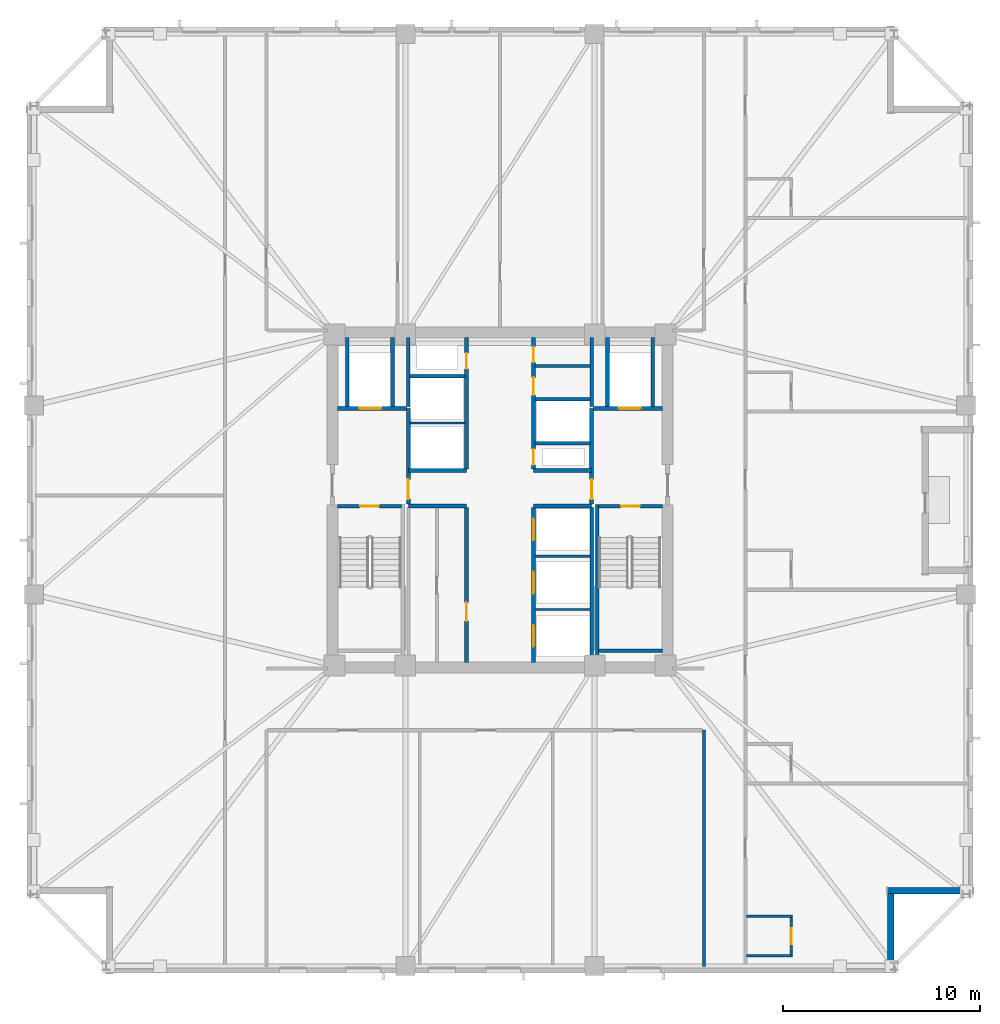
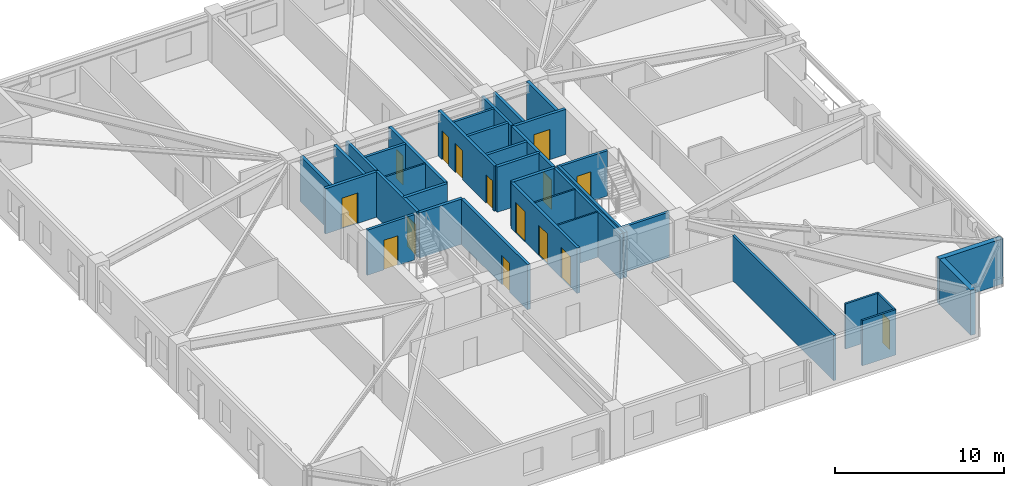
# One storey, part 3 of 10: 36 walls, 15 doors, 15 openings.
"""IFC4 building model written with IfcOpenShell, lengths in metres."""

from ifc_helpers import new_model, si_unit, direction, frame, frame_2d, origin, place, context, subcontext, project, spatial, rectangle, extrude, material, layer, layer_set, type_object, element, fill, save


model = new_model("IFC4")

# Units and contexts
model_context = context("Model", 3, precision=1e-05, world=origin(), true_north=direction((0.0, 1.0)))
body_context = subcontext(model_context, "Body", "Model", "MODEL_VIEW")
ifc_project = project(units=[si_unit("LENGTHUNIT", "METRE"), si_unit("AREAUNIT", "SQUARE_METRE"), si_unit("VOLUMEUNIT", "CUBIC_METRE"), si_unit("PLANEANGLEUNIT", "RADIAN"), si_unit("MASSUNIT", "GRAM", prefix="KILO")], contexts=[model_context])

# Site, building, storey
site_placement = place(None, origin())
site = spatial("IfcSite", under=ifc_project, at=site_placement, CompositionType="ELEMENT")
building_placement = place(site_placement, origin())
building = spatial("IfcBuilding", under=site, at=building_placement, Name="Cairnveth Concourse Tower", CompositionType="ELEMENT")
storey_placement = place(building_placement, frame((0.0, 0.0, 186.5)))
storey = spatial("IfcBuildingStorey", under=building, at=storey_placement, Name="L51", CompositionType="ELEMENT", Elevation=186.5)

# Walls
ifc_material_1 = material(Name="Gypsum Plasterboard Partition", Category="gypsum")
ifc_layer_1 = layer(ifc_material_1, 0.159912109375)
ifc_layer_set_1 = layer_set([ifc_layer_1], Name="Gypsum Plasterboard Partition")
wall_type_1 = type_object("IfcWallType", Name="ACOUSTIC PARTY WALL 180", PredefinedType="PARTITIONING", material=ifc_layer_set_1)
wall_1_placement = place(storey_placement, frame((53.784912109375, 45.800048828125, 0.0), z_axis=(0.0, 0.0, 1.0), x_axis=(1.0, 0.0, 0.0)))
element("IfcWall", 1, at=wall_1_placement, inside=storey, type_object=wall_type_1, Name="Interior Wall IW-L51-036", PredefinedType="PARTITIONING", context=body_context, shape_type="SweptSolid", body=[
    extrude(rectangle(XDim=2.7900390625, YDim=0.159912109375, at=frame_2d((1.39501953125, 0.0))), origin(), (0.0, 0.0, 1.0), 3.280029296875),
])
wall_2_placement = place(storey_placement, frame((62.35009765625, 15.324951171875, 0.0), z_axis=(0.0, 0.0, 1.0), x_axis=(0.0, 1.0, 0.0)))
element("IfcWall", 2, at=wall_2_placement, inside=storey, type_object=wall_type_1, Name="Interior Wall IW-L51-043", PredefinedType="PARTITIONING", context=body_context, shape_type="SweptSolid", body=[
    extrude(rectangle(XDim=11.9951171875, YDim=0.159912109375, at=frame_2d((5.99755859375, 0.0))), origin(), (0.0, 0.0, 1.0), 3.280029296875),
])
ifc_material_2 = material(Name="Concrete N50 (50 MPa)", Category="concrete")
ifc_layer_2 = layer(ifc_material_2, 0.179931640625)
ifc_layer_set_2 = layer_set([ifc_layer_2], Name="Concrete N50 (50 MPa)")
wall_type_2 = type_object("IfcWallType", Name="FIRE SHAFT WALL 180", PredefinedType="SOLIDWALL", material=ifc_layer_set_2)
wall_3_placement = place(storey_placement, frame((56.64990234375, 30.760009765625, 0.0), z_axis=(0.0, 0.0, 1.0), x_axis=(0.0, 1.0, 0.0)))
element("IfcWall", 3, at=wall_3_placement, inside=storey, type_object=wall_type_2, Name="Interior Wall IW-L51-027", PredefinedType="SOLIDWALL", context=body_context, shape_type="SweptSolid", body=[
    extrude(rectangle(XDim=7.85498046875, YDim=0.179931640625, at=frame_2d((3.927490234375, 0.0))), origin(), (0.0, 0.0, 1.0), 3.280029296875),
])
wall_4_placement = place(storey_placement, frame((47.35009765625, 43.735107421875, 0.0), z_axis=(0.0, 0.0, 1.0), x_axis=(0.0, 1.0, 0.0)))
element("IfcWall", 4, at=wall_4_placement, inside=storey, type_object=wall_type_2, Name="Interior Wall IW-L51-030", PredefinedType="SOLIDWALL", context=body_context, shape_type="SweptSolid", body=[
    extrude(rectangle(XDim=3.5048828125, YDim=0.179931640625, at=frame_2d((1.75244140625, 0.0))), origin(), (0.0, 0.0, 1.0), 3.280029296875),
])
wall_5_placement = place(storey_placement, frame((47.425048828125, 45.280029296875, 0.0), z_axis=(0.0, 0.0, 1.0), x_axis=(1.0, 0.0, 0.0)))
element("IfcWall", 5, at=wall_5_placement, inside=storey, type_object=wall_type_2, Name="Interior Wall IW-L51-032", PredefinedType="SOLIDWALL", context=body_context, shape_type="SweptSolid", body=[
    extrude(rectangle(XDim=2.7900390625, YDim=0.179931640625, at=frame_2d((1.39501953125, 0.0))), origin(), (0.0, 0.0, 1.0), 3.280029296875),
])
wall_6_placement = place(storey_placement, frame((56.64990234375, 43.735107421875, 0.0), z_axis=(0.0, 0.0, 1.0), x_axis=(0.0, 1.0, 0.0)))
element("IfcWall", 6, at=wall_6_placement, inside=storey, type_object=wall_type_2, Name="Interior Wall IW-L51-033", PredefinedType="SOLIDWALL", context=body_context, shape_type="SweptSolid", body=[
    extrude(rectangle(XDim=3.5048828125, YDim=0.179931640625, at=frame_2d((1.75244140625, 0.0))), origin(), (0.0, 0.0, 1.0), 3.280029296875),
])
wall_7_placement = place(storey_placement, frame((53.784912109375, 41.8798828125, 0.0), z_axis=(0.0, 0.0, 1.0), x_axis=(1.0, 0.0, 0.0)))
element("IfcWall", 7, at=wall_7_placement, inside=storey, type_object=wall_type_2, Name="Interior Wall IW-L51-034", PredefinedType="SOLIDWALL", context=body_context, shape_type="SweptSolid", body=[
    extrude(rectangle(XDim=2.780029296875, YDim=0.179931640625, at=frame_2d((1.39013671875, 0.0))), origin(), (0.0, 0.0, 1.0), 3.280029296875),
])
wall_8_placement = place(storey_placement, frame((53.784912109375, 44.1201171875, 0.0), z_axis=(0.0, 0.0, 1.0), x_axis=(1.0, 0.0, 0.0)))
element("IfcWall", 8, at=wall_8_placement, inside=storey, type_object=wall_type_2, Name="Interior Wall IW-L51-035", PredefinedType="SOLIDWALL", context=body_context, shape_type="SweptSolid", body=[
    extrude(rectangle(XDim=2.7900390625, YDim=0.179931640625, at=frame_2d((1.39501953125, 0.0))), origin(), (0.0, 0.0, 1.0), 3.280029296875),
])

# Wall, opening, door
wall_9_placement = place(storey_placement, frame((43.764892578125, 38.68994140625, 0.0), z_axis=(0.0, 0.0, 1.0), x_axis=(1.0, 0.0, 0.0)))
wall_9 = element("IfcWall", 9, at=wall_9_placement, inside=storey, type_object=wall_type_2, Name="Stair ST-1 Shaft Wall NEAR L51", PredefinedType="SOLIDWALL", context=body_context, shape_type="SweptSolid", body=[
    extrude(rectangle(XDim=3.230224609375, YDim=0.179931640625, at=frame_2d((1.615234375, 0.0))), origin(), (0.0, 0.0, 1.0), 3.280029296875),
])
opening_1_placement = place(wall_9_placement, frame((1.139892578125, 0.0, 0.0)))
opening_1 = element("IfcOpeningElement", 10, at=opening_1_placement, cuts=wall_9, Name="Opening ID12", PredefinedType="OPENING", context=body_context, shape_type="SweptSolid", body=[
    extrude(rectangle(XDim=0.949951171875, YDim=2.14990234375, at=frame_2d((0.47509765625, 1.074951171875))), frame((0.0, 0.099853515625, 0.0), z_axis=(0.0, -1.0, 0.0), x_axis=(1.0, 0.0, 0.0)), (0.0, 0.0, 1.0), 0.199951171875),
])
ifc_material_3 = material(Name="Steel Grade 350", Category="steel")
door_type_1 = type_object("IfcDoorType", Name="FIRE STAIR DOOR 950X2150", OperationType="NOTDEFINED", PredefinedType="DOOR", material=ifc_material_3)
door_1_placement = place(opening_1_placement, origin())
door_1 = element("IfcDoor", 11, at=door_1_placement, inside=storey, type_object=door_type_1, Name="Stair ST-1 Fire Door L51", OperationType="SINGLE_SWING_LEFT", OverallHeight=2.14990234375, OverallWidth=0.949951171875, PredefinedType="DOOR", context=body_context, shape_type="SweptSolid", body=[
    extrude(rectangle(XDim=0.949951171875, YDim=2.14990234375, at=frame_2d((0.47509765625, 1.074951171875))), frame((0.0, 0.02490234375, 0.0), z_axis=(0.0, -1.0, 0.0), x_axis=(1.0, 0.0, 0.0)), (0.0, 0.0, 1.0), 0.050048828125),
])
fill(opening_1, door_1)

wall_10_placement = place(storey_placement, frame((57.0048828125, 38.68994140625, 0.0), z_axis=(0.0, 0.0, 1.0), x_axis=(1.0, 0.0, 0.0)))
wall_10 = element("IfcWall", 12, at=wall_10_placement, inside=storey, type_object=wall_type_2, Name="Stair ST-2 Shaft Wall NEAR L51", PredefinedType="SOLIDWALL", context=body_context, shape_type="SweptSolid", body=[
    extrude(rectangle(XDim=3.230224609375, YDim=0.179931640625, at=frame_2d((1.615234375, 0.0))), origin(), (0.0, 0.0, 1.0), 3.280029296875),
])
opening_2_placement = place(wall_10_placement, frame((1.139892578125, 0.0, 0.0)))
opening_2 = element("IfcOpeningElement", 13, at=opening_2_placement, cuts=wall_10, Name="Opening ID12", PredefinedType="OPENING", context=body_context, shape_type="SweptSolid", body=[
    extrude(rectangle(XDim=0.949951171875, YDim=2.14990234375, at=frame_2d((0.47509765625, 1.074951171875))), frame((0.0, 0.099853515625, 0.0), z_axis=(0.0, -1.0, 0.0), x_axis=(1.0, 0.0, 0.0)), (0.0, 0.0, 1.0), 0.199951171875),
])
door_2_placement = place(opening_2_placement, origin())
door_2 = element("IfcDoor", 14, at=door_2_placement, inside=storey, type_object=door_type_1, Name="Stair ST-2 Fire Door L51", OperationType="SINGLE_SWING_RIGHT", OverallHeight=2.14990234375, OverallWidth=0.949951171875, PredefinedType="DOOR", context=body_context, shape_type="SweptSolid", body=[
    extrude(rectangle(XDim=0.949951171875, YDim=2.14990234375, at=frame_2d((0.47509765625, 1.074951171875))), frame((0.0, 0.02490234375, 0.0), z_axis=(0.0, -1.0, 0.0), x_axis=(1.0, 0.0, 0.0)), (0.0, 0.0, 1.0), 0.050048828125),
])
fill(opening_2, door_2)

# Walls
wall_11_placement = place(storey_placement, frame((57.0048828125, 31.360107421875, 0.0), z_axis=(0.0, 0.0, 1.0), x_axis=(1.0, 0.0, 0.0)))
element("IfcWall", 15, at=wall_11_placement, inside=storey, type_object=wall_type_2, Name="Stair ST-2 Shaft Wall FAR L51", PredefinedType="SOLIDWALL", context=body_context, shape_type="SweptSolid", body=[
    extrude(rectangle(XDim=3.230224609375, YDim=0.179931640625, at=frame_2d((1.615234375, 0.0))), origin(), (0.0, 0.0, 1.0), 3.280029296875),
])
wall_12_placement = place(storey_placement, frame((56.929931640625, 38.780029296875, 0.0), z_axis=(0.0, 0.0, 1.0), x_axis=(0.0, -1.0, 0.0)))
element("IfcWall", 16, at=wall_12_placement, inside=storey, type_object=wall_type_2, Name="Stair ST-2 Shaft Wall LEFT L51", PredefinedType="SOLIDWALL", context=body_context, shape_type="SweptSolid", body=[
    extrude(rectangle(XDim=8.01708984375, YDim=0.179931640625, at=frame_2d((4.008544921875, 0.0))), origin(), (0.0, 0.0, 1.0), 3.280029296875),
])
ifc_layer_3 = layer(ifc_material_2, 0.199951171875)
ifc_layer_set_3 = layer_set([ifc_layer_3], Name="Concrete N50 (50 MPa)")
wall_type_3 = type_object("IfcWallType", Name="FIRE SHAFT WALL 200", PredefinedType="SOLIDWALL", material=ifc_layer_set_3)
for number, where, z_axis, x_axis, name in (
    (17, (47.35009765625, 38.699951171875, 0.0), (0.0, 0.0, 1.0), (1.0, 0.0, 0.0), "Interior Wall IW-L51-007"),
    (18, (47.35009765625, 40.5, 0.0), (0.0, 0.0, 1.0), (1.0, 0.0, 0.0), "Interior Wall IW-L51-008"),
    (19, (53.699951171875, 38.699951171875, 0.0), (0.0, 0.0, 1.0), (1.0, 0.0, 0.0), "Interior Wall IW-L51-009"),
    (20, (53.699951171875, 40.5, 0.0), (0.0, 0.0, 1.0), (1.0, 0.0, 0.0), "Interior Wall IW-L51-010"),
):
    element("IfcWall", number, at=place(storey_placement, frame(where, z_axis=z_axis, x_axis=x_axis)), inside=storey, type_object=wall_type_3, Name=name, PredefinedType="SOLIDWALL", context=body_context, shape_type="SweptSolid", body=[
        extrude(rectangle(XDim=2.949951171875, YDim=0.199951171875, at=frame_2d((1.47509765625, 0.0))), origin(), (0.0, 0.0, 1.0), 3.280029296875),
    ])

# Wall, opening, door
wall_13_placement = place(storey_placement, frame((50.300048828125, 30.760009765625, 0.0), z_axis=(0.0, 0.0, 1.0), x_axis=(0.0, 1.0, 0.0)))
wall_13 = element("IfcWall", 21, at=wall_13_placement, inside=storey, type_object=wall_type_3, Name="Interior Wall IW-L51-011", PredefinedType="SOLIDWALL", context=body_context, shape_type="SweptSolid", body=[
    extrude(rectangle(XDim=7.85498046875, YDim=0.199951171875, at=frame_2d((3.927490234375, 0.0))), origin(), (0.0, 0.0, 1.0), 3.280029296875),
])
opening_3_placement = place(wall_13_placement, frame((2.090087890625, 0.0, 0.0)))
opening_3 = element("IfcOpeningElement", 22, at=opening_3_placement, cuts=wall_13, Name="Opening ID25", PredefinedType="OPENING", context=body_context, shape_type="SweptSolid", body=[
    extrude(rectangle(XDim=0.949951171875, YDim=2.1201171875, at=frame_2d((0.47509765625, 1.06005859375))), frame((0.0, 0.10986328125, 0.0), z_axis=(0.0, -1.0, 0.0), x_axis=(1.0, 0.0, 0.0)), (0.0, 0.0, 1.0), 0.219970703125),
])
door_type_2 = type_object("IfcDoorType", Name="CORE ACCESSIBLE FIRE DOOR 950X2120", OperationType="NOTDEFINED", PredefinedType="DOOR", material=ifc_material_3)
door_3_placement = place(opening_3_placement, origin())
door_3 = element("IfcDoor", 23, at=door_3_placement, inside=storey, type_object=door_type_2, Name="Accessible WC Suite Door L51", OperationType="SINGLE_SWING_LEFT", OverallHeight=2.1201171875, OverallWidth=0.949951171875, PredefinedType="DOOR", context=body_context, shape_type="SweptSolid", body=[
    extrude(rectangle(XDim=0.949951171875, YDim=2.1201171875, at=frame_2d((0.47509765625, 1.06005859375))), frame((0.0, 0.02490234375, 0.0), z_axis=(0.0, -1.0, 0.0), x_axis=(1.0, 0.0, 0.0)), (0.0, 0.0, 1.0), 0.050048828125),
])
fill(opening_3, door_3)

# Wall, openings, doors
wall_14_placement = place(storey_placement, frame((53.699951171875, 30.760009765625, 0.0), z_axis=(0.0, 0.0, 1.0), x_axis=(0.0, 1.0, 0.0)))
wall_14 = element("IfcWall", 24, at=wall_14_placement, inside=storey, type_object=wall_type_3, Name="Interior Wall IW-L51-012", PredefinedType="SOLIDWALL", context=body_context, shape_type="SweptSolid", body=[
    extrude(rectangle(XDim=7.85498046875, YDim=0.199951171875, at=frame_2d((3.927490234375, 0.0))), origin(), (0.0, 0.0, 1.0), 3.280029296875),
])
opening_4_placement = place(wall_14_placement, frame((0.7900390625, 0.0, 0.0)))
opening_4 = element("IfcOpeningElement", 25, at=opening_4_placement, cuts=wall_14, Name="Opening LD-1", PredefinedType="OPENING", context=body_context, shape_type="SweptSolid", body=[
    extrude(rectangle(XDim=1.10009765625, YDim=2.199951171875, at=frame_2d((0.550048828125, 1.10009765625))), frame((0.0, 0.10986328125, 0.0), z_axis=(0.0, -1.0, 0.0), x_axis=(1.0, 0.0, 0.0)), (0.0, 0.0, 1.0), 0.219970703125),
])
opening_5_placement = place(wall_14_placement, frame((3.489990234375, 0.0, 0.0)))
opening_5 = element("IfcOpeningElement", 26, at=opening_5_placement, cuts=wall_14, Name="Opening LD-1", PredefinedType="OPENING", context=body_context, shape_type="SweptSolid", body=[
    extrude(rectangle(XDim=1.10009765625, YDim=2.199951171875, at=frame_2d((0.550048828125, 1.10009765625))), frame((0.0, 0.10986328125, 0.0), z_axis=(0.0, -1.0, 0.0), x_axis=(1.0, 0.0, 0.0)), (0.0, 0.0, 1.0), 0.219970703125),
])
opening_6_placement = place(wall_14_placement, frame((6.18994140625, 0.0, 0.0)))
opening_6 = element("IfcOpeningElement", 27, at=opening_6_placement, cuts=wall_14, Name="Opening LD-1", PredefinedType="OPENING", context=body_context, shape_type="SweptSolid", body=[
    extrude(rectangle(XDim=1.10009765625, YDim=2.199951171875, at=frame_2d((0.550048828125, 1.10009765625))), frame((0.0, 0.10986328125, 0.0), z_axis=(0.0, -1.0, 0.0), x_axis=(1.0, 0.0, 0.0)), (0.0, 0.0, 1.0), 0.219970703125),
])
ifc_material_4 = material(Name="Architectural Bronze Anodised Aluminium 6063-T6", Category="aluminium")
door_type_3 = type_object("IfcDoorType", Name="LIFT LANDING DOOR 1100X2200", OperationType="SLIDING_TO_LEFT", PredefinedType="DOOR", material=ifc_material_4)
door_4_placement = place(opening_4_placement, origin())
door_4 = element("IfcDoor", 28, at=door_4_placement, inside=storey, type_object=door_type_3, Name="Lift PL4 Landing Door L51", OperationType="SLIDING_TO_LEFT", OverallHeight=2.199951171875, OverallWidth=1.10009765625, PredefinedType="DOOR", context=body_context, shape_type="SweptSolid", body=[
    extrude(rectangle(XDim=1.10009765625, YDim=2.199951171875, at=frame_2d((0.550048828125, 1.10009765625))), frame((0.0, 0.02490234375, 0.0), z_axis=(0.0, -1.0, 0.0), x_axis=(1.0, 0.0, 0.0)), (0.0, 0.0, 1.0), 0.050048828125),
])
fill(opening_4, door_4)
door_5_placement = place(opening_5_placement, origin())
door_5 = element("IfcDoor", 29, at=door_5_placement, inside=storey, type_object=door_type_3, Name="Lift PL5 Landing Door L51", OperationType="SLIDING_TO_LEFT", OverallHeight=2.199951171875, OverallWidth=1.10009765625, PredefinedType="DOOR", context=body_context, shape_type="SweptSolid", body=[
    extrude(rectangle(XDim=1.10009765625, YDim=2.199951171875, at=frame_2d((0.550048828125, 1.10009765625))), frame((0.0, 0.02490234375, 0.0), z_axis=(0.0, -1.0, 0.0), x_axis=(1.0, 0.0, 0.0)), (0.0, 0.0, 1.0), 0.050048828125),
])
fill(opening_5, door_5)
door_6_placement = place(opening_6_placement, origin())
door_6 = element("IfcDoor", 30, at=door_6_placement, inside=storey, type_object=door_type_3, Name="Lift PL6 Landing Door L51", OperationType="SLIDING_TO_LEFT", OverallHeight=2.199951171875, OverallWidth=1.10009765625, PredefinedType="DOOR", context=body_context, shape_type="SweptSolid", body=[
    extrude(rectangle(XDim=1.10009765625, YDim=2.199951171875, at=frame_2d((0.550048828125, 1.10009765625))), frame((0.0, 0.02490234375, 0.0), z_axis=(0.0, -1.0, 0.0), x_axis=(1.0, 0.0, 0.0)), (0.0, 0.0, 1.0), 0.050048828125),
])
fill(opening_6, door_6)

# Wall, opening, door
wall_15_placement = place(storey_placement, frame((50.300048828125, 40.5849609375, 0.0), z_axis=(0.0, 0.0, 1.0), x_axis=(0.0, 1.0, 0.0)))
wall_15 = element("IfcWall", 31, at=wall_15_placement, inside=storey, type_object=wall_type_3, Name="Interior Wall IW-L51-013", PredefinedType="SOLIDWALL", context=body_context, shape_type="SweptSolid", body=[
    extrude(rectangle(XDim=6.655029296875, YDim=0.199951171875, at=frame_2d((3.32763671875, 0.0))), origin(), (0.0, 0.0, 1.0), 3.280029296875),
])
opening_7_placement = place(wall_15_placement, frame((5.06494140625, 0.0, 0.0)))
opening_7 = element("IfcOpeningElement", 32, at=opening_7_placement, cuts=wall_15, Name="Opening ID24", PredefinedType="OPENING", context=body_context, shape_type="SweptSolid", body=[
    extrude(rectangle(XDim=0.800048828125, YDim=2.080078125, at=frame_2d((0.39990234375, 1.0400390625))), frame((0.0, 0.10986328125, 0.0), z_axis=(0.0, -1.0, 0.0), x_axis=(1.0, 0.0, 0.0)), (0.0, 0.0, 1.0), 0.219970703125),
])
door_type_4 = type_object("IfcDoorType", Name="RISER ACCESS DOOR 800X2100", OperationType="NOTDEFINED", PredefinedType="DOOR", material=ifc_material_3)
door_7_placement = place(opening_7_placement, origin())
door_7 = element("IfcDoor", 33, at=door_7_placement, inside=storey, type_object=door_type_4, Name="NW Electrical Riser Access Door L51", OperationType="SINGLE_SWING_RIGHT", OverallHeight=2.080078125, OverallWidth=0.800048828125, PredefinedType="DOOR", context=body_context, shape_type="SweptSolid", body=[
    extrude(rectangle(XDim=0.800048828125, YDim=2.080078125, at=frame_2d((0.39990234375, 1.0400390625))), frame((0.0, 0.02490234375, 0.0), z_axis=(0.0, -1.0, 0.0), x_axis=(1.0, 0.0, 0.0)), (0.0, 0.0, 1.0), 0.050048828125),
])
fill(opening_7, door_7)

# Wall, openings, doors
wall_16_placement = place(storey_placement, frame((53.699951171875, 40.5849609375, 0.0), z_axis=(0.0, 0.0, 1.0), x_axis=(0.0, 1.0, 0.0)))
wall_16 = element("IfcWall", 34, at=wall_16_placement, inside=storey, type_object=wall_type_3, Name="Interior Wall IW-L51-014", PredefinedType="SOLIDWALL", context=body_context, shape_type="SweptSolid", body=[
    extrude(rectangle(XDim=6.655029296875, YDim=0.199951171875, at=frame_2d((3.32763671875, 0.0))), origin(), (0.0, 0.0, 1.0), 3.280029296875),
])
opening_8_placement = place(wall_16_placement, frame((0.195068359375, 0.0, 0.0)))
opening_8 = element("IfcOpeningElement", 35, at=opening_8_placement, cuts=wall_16, Name="Opening ID24", PredefinedType="OPENING", context=body_context, shape_type="SweptSolid", body=[
    extrude(rectangle(XDim=0.800048828125, YDim=2.080078125, at=frame_2d((0.39990234375, 1.0400390625))), frame((0.0, 0.10986328125, 0.0), z_axis=(0.0, -1.0, 0.0), x_axis=(1.0, 0.0, 0.0)), (0.0, 0.0, 1.0), 0.219970703125),
])
opening_9_placement = place(wall_16_placement, frame((3.735107421875, 0.0, 0.0)))
opening_9 = element("IfcOpeningElement", 36, at=opening_9_placement, cuts=wall_16, Name="Opening ID26", PredefinedType="OPENING", context=body_context, shape_type="SweptSolid", body=[
    extrude(rectangle(XDim=0.89990234375, YDim=2.1201171875, at=frame_2d((0.449951171875, 1.06005859375))), frame((0.0, 0.10986328125, 0.0), z_axis=(0.0, -1.0, 0.0), x_axis=(1.0, 0.0, 0.0)), (0.0, 0.0, 1.0), 0.219970703125),
])
opening_10_placement = place(wall_16_placement, frame((5.39501953125, 0.0, 0.0)))
opening_10 = element("IfcOpeningElement", 37, at=opening_10_placement, cuts=wall_16, Name="Opening ID23", PredefinedType="OPENING", context=body_context, shape_type="SweptSolid", body=[
    extrude(rectangle(XDim=0.800048828125, YDim=2.10009765625, at=frame_2d((0.39990234375, 1.050048828125))), frame((0.0, 0.10986328125, 0.0), z_axis=(0.0, -1.0, 0.0), x_axis=(1.0, 0.0, 0.0)), (0.0, 0.0, 1.0), 0.219970703125),
])
door_type_5 = type_object("IfcDoorType", Name="CORE SERVICE DOOR 800X2100", OperationType="NOTDEFINED", PredefinedType="DOOR", material=ifc_material_3)
door_8_placement = place(opening_10_placement, origin())
door_8 = element("IfcDoor", 38, at=door_8_placement, inside=storey, type_object=door_type_5, Name="Core NE Cleaners Door L51", OperationType="SINGLE_SWING_LEFT", OverallHeight=2.10009765625, OverallWidth=0.800048828125, PredefinedType="DOOR", context=body_context, shape_type="SweptSolid", body=[
    extrude(rectangle(XDim=0.800048828125, YDim=2.10009765625, at=frame_2d((0.39990234375, 1.050048828125))), frame((0.0, 0.02490234375, 0.0), z_axis=(0.0, -1.0, 0.0), x_axis=(1.0, 0.0, 0.0)), (0.0, 0.0, 1.0), 0.050048828125),
])
fill(opening_10, door_8)
door_type_6 = type_object("IfcDoorType", Name="CORE TOILET FIRE DOOR 900X2120", OperationType="NOTDEFINED", PredefinedType="DOOR", material=ifc_material_3)
door_9_placement = place(opening_9_placement, origin())
door_9 = element("IfcDoor", 39, at=door_9_placement, inside=storey, type_object=door_type_6, Name="Core NE Unisex WC Door L51", OperationType="SINGLE_SWING_RIGHT", OverallHeight=2.1201171875, OverallWidth=0.89990234375, PredefinedType="DOOR", context=body_context, shape_type="SweptSolid", body=[
    extrude(rectangle(XDim=0.89990234375, YDim=2.1201171875, at=frame_2d((0.449951171875, 1.06005859375))), frame((0.0, 0.02490234375, 0.0), z_axis=(0.0, -1.0, 0.0), x_axis=(1.0, 0.0, 0.0)), (0.0, 0.0, 1.0), 0.050048828125),
])
fill(opening_9, door_9)
door_10_placement = place(opening_8_placement, origin())
door_10 = element("IfcDoor", 40, at=door_10_placement, inside=storey, type_object=door_type_4, Name="Hydraulic Riser Door L51", OperationType="SINGLE_SWING_LEFT", OverallHeight=2.080078125, OverallWidth=0.800048828125, PredefinedType="DOOR", context=body_context, shape_type="SweptSolid", body=[
    extrude(rectangle(XDim=0.800048828125, YDim=2.080078125, at=frame_2d((0.39990234375, 1.0400390625))), frame((0.0, 0.02490234375, 0.0), z_axis=(0.0, -1.0, 0.0), x_axis=(1.0, 0.0, 0.0)), (0.0, 0.0, 1.0), 0.050048828125),
])
fill(opening_8, door_10)

# Wall, opening, door
wall_17_placement = place(storey_placement, frame((47.35009765625, 38.784912109375, 0.0), z_axis=(0.0, 0.0, 1.0), x_axis=(0.0, 1.0, 0.0)))
wall_17 = element("IfcWall", 41, at=wall_17_placement, inside=storey, type_object=wall_type_3, Name="Interior Wall IW-L51-016", PredefinedType="SOLIDWALL", context=body_context, shape_type="SweptSolid", body=[
    extrude(rectangle(XDim=4.864990234375, YDim=0.199951171875, at=frame_2d((2.4326171875, 0.0))), origin(), (0.0, 0.0, 1.0), 3.280029296875),
])
opening_11_placement = place(wall_17_placement, frame((0.264892578125, 0.0, 0.0)))
opening_11 = element("IfcOpeningElement", 42, at=opening_11_placement, cuts=wall_17, Name="Opening ID07", PredefinedType="OPENING", context=body_context, shape_type="SweptSolid", body=[
    extrude(rectangle(XDim=1.0, YDim=2.14990234375, at=frame_2d((0.5, 1.074951171875))), frame((0.0, 0.10986328125, 0.0), z_axis=(0.0, -1.0, 0.0), x_axis=(1.0, 0.0, 0.0)), (0.0, 0.0, 1.0), 0.219970703125),
])
door_type_7 = type_object("IfcDoorType", Name="FIRE CORRIDOR DOOR 1000X2150", OperationType="NOTDEFINED", PredefinedType="DOOR", material=ifc_material_3)
door_11_placement = place(opening_11_placement, origin())
door_11 = element("IfcDoor", 43, at=door_11_placement, inside=storey, type_object=door_type_7, Name="FF Lobby West to Lift Lobby Door L51", OperationType="SINGLE_SWING_RIGHT", OverallHeight=2.14990234375, OverallWidth=1.0, PredefinedType="DOOR", context=body_context, shape_type="SweptSolid", body=[
    extrude(rectangle(XDim=1.0, YDim=2.14990234375, at=frame_2d((0.5, 1.074951171875))), frame((0.0, 0.02490234375, 0.0), z_axis=(0.0, -1.0, 0.0), x_axis=(1.0, 0.0, 0.0)), (0.0, 0.0, 1.0), 0.050048828125),
])
fill(opening_11, door_11)

wall_18_placement = place(storey_placement, frame((43.760009765625, 43.64990234375, 0.0), z_axis=(0.0, 0.0, 1.0), x_axis=(1.0, 0.0, 0.0)))
wall_18 = element("IfcWall", 44, at=wall_18_placement, inside=storey, type_object=wall_type_3, Name="Interior Wall IW-L51-017", PredefinedType="SOLIDWALL", context=body_context, shape_type="SweptSolid", body=[
    extrude(rectangle(XDim=3.5048828125, YDim=0.199951171875, at=frame_2d((1.75244140625, 0.0))), origin(), (0.0, 0.0, 1.0), 3.280029296875),
])
opening_12_placement = place(wall_18_placement, frame((1.110107421875, 0.0, 0.0)))
opening_12 = element("IfcOpeningElement", 45, at=opening_12_placement, cuts=wall_18, Name="Opening LD-1", PredefinedType="OPENING", context=body_context, shape_type="SweptSolid", body=[
    extrude(rectangle(XDim=1.10009765625, YDim=2.199951171875, at=frame_2d((0.550048828125, 1.10009765625))), frame((0.0, 0.10986328125, 0.0), z_axis=(0.0, -1.0, 0.0), x_axis=(1.0, 0.0, 0.0)), (0.0, 0.0, 1.0), 0.219970703125),
])
door_12_placement = place(opening_12_placement, origin())
door_12 = element("IfcDoor", 46, at=door_12_placement, inside=storey, type_object=door_type_3, Name="Lift FFL1 Landing Door L51", OperationType="SLIDING_TO_LEFT", OverallHeight=2.199951171875, OverallWidth=1.10009765625, PredefinedType="DOOR", context=body_context, shape_type="SweptSolid", body=[
    extrude(rectangle(XDim=1.10009765625, YDim=2.199951171875, at=frame_2d((0.550048828125, 1.10009765625))), frame((0.0, 0.02490234375, 0.0), z_axis=(0.0, -1.0, 0.0), x_axis=(1.0, 0.0, 0.0)), (0.0, 0.0, 1.0), 0.050048828125),
])
fill(opening_12, door_12)

# Walls
for number, where, z_axis, x_axis, name in (
    (47, (46.550048828125, 43.735107421875, 0.0), (0.0, 0.0, 1.0), (0.0, 1.0, 0.0), "Interior Wall IW-L51-018"),
    (48, (44.25, 43.735107421875, 0.0), (0.0, 0.0, 1.0), (0.0, 1.0, 0.0), "Interior Wall IW-L51-019"),
):
    element("IfcWall", number, at=place(storey_placement, frame(where, z_axis=z_axis, x_axis=x_axis)), inside=storey, type_object=wall_type_3, Name=name, PredefinedType="SOLIDWALL", context=body_context, shape_type="SweptSolid", body=[
        extrude(rectangle(XDim=3.5048828125, YDim=0.199951171875, at=frame_2d((1.75244140625, 0.0))), origin(), (0.0, 0.0, 1.0), 3.280029296875),
    ])

# Wall, opening, door
wall_19_placement = place(storey_placement, frame((56.64990234375, 38.784912109375, 0.0), z_axis=(0.0, 0.0, 1.0), x_axis=(0.0, 1.0, 0.0)))
wall_19 = element("IfcWall", 49, at=wall_19_placement, inside=storey, type_object=wall_type_3, Name="Interior Wall IW-L51-021", PredefinedType="SOLIDWALL", context=body_context, shape_type="SweptSolid", body=[
    extrude(rectangle(XDim=4.864990234375, YDim=0.199951171875, at=frame_2d((2.4326171875, 0.0))), origin(), (0.0, 0.0, 1.0), 3.280029296875),
])
opening_13_placement = place(wall_19_placement, frame((0.264892578125, 0.0, 0.0)))
opening_13 = element("IfcOpeningElement", 50, at=opening_13_placement, cuts=wall_19, Name="Opening ID07", PredefinedType="OPENING", context=body_context, shape_type="SweptSolid", body=[
    extrude(rectangle(XDim=1.0, YDim=2.14990234375, at=frame_2d((0.5, 1.074951171875))), frame((0.0, 0.10986328125, 0.0), z_axis=(0.0, -1.0, 0.0), x_axis=(1.0, 0.0, 0.0)), (0.0, 0.0, 1.0), 0.219970703125),
])
door_13_placement = place(opening_13_placement, origin())
door_13 = element("IfcDoor", 51, at=door_13_placement, inside=storey, type_object=door_type_7, Name="FF Lobby East to Lift Lobby Door L51", OperationType="SINGLE_SWING_LEFT", OverallHeight=2.14990234375, OverallWidth=1.0, PredefinedType="DOOR", context=body_context, shape_type="SweptSolid", body=[
    extrude(rectangle(XDim=1.0, YDim=2.14990234375, at=frame_2d((0.5, 1.074951171875))), frame((0.0, 0.02490234375, 0.0), z_axis=(0.0, -1.0, 0.0), x_axis=(1.0, 0.0, 0.0)), (0.0, 0.0, 1.0), 0.050048828125),
])
fill(opening_13, door_13)

wall_20_placement = place(storey_placement, frame((56.735107421875, 43.64990234375, 0.0), z_axis=(0.0, 0.0, 1.0), x_axis=(1.0, 0.0, 0.0)))
wall_20 = element("IfcWall", 52, at=wall_20_placement, inside=storey, type_object=wall_type_3, Name="Interior Wall IW-L51-022", PredefinedType="SOLIDWALL", context=body_context, shape_type="SweptSolid", body=[
    extrude(rectangle(XDim=3.5048828125, YDim=0.199951171875, at=frame_2d((1.75244140625, 0.0))), origin(), (0.0, 0.0, 1.0), 3.280029296875),
])
opening_14_placement = place(wall_20_placement, frame((1.294921875, 0.0, 0.0)))
opening_14 = element("IfcOpeningElement", 53, at=opening_14_placement, cuts=wall_20, Name="Opening LD-1", PredefinedType="OPENING", context=body_context, shape_type="SweptSolid", body=[
    extrude(rectangle(XDim=1.10009765625, YDim=2.199951171875, at=frame_2d((0.550048828125, 1.10009765625))), frame((0.0, 0.10986328125, 0.0), z_axis=(0.0, -1.0, 0.0), x_axis=(1.0, 0.0, 0.0)), (0.0, 0.0, 1.0), 0.219970703125),
])
door_14_placement = place(opening_14_placement, origin())
door_14 = element("IfcDoor", 54, at=door_14_placement, inside=storey, type_object=door_type_3, Name="Lift FFL2 Landing Door L51", OperationType="SLIDING_TO_LEFT", OverallHeight=2.199951171875, OverallWidth=1.10009765625, PredefinedType="DOOR", context=body_context, shape_type="SweptSolid", body=[
    extrude(rectangle(XDim=1.10009765625, YDim=2.199951171875, at=frame_2d((0.550048828125, 1.10009765625))), frame((0.0, 0.02490234375, 0.0), z_axis=(0.0, -1.0, 0.0), x_axis=(1.0, 0.0, 0.0)), (0.0, 0.0, 1.0), 0.050048828125),
])
fill(opening_14, door_14)

# Walls
for number, where, z_axis, x_axis, name in (
    (55, (57.449951171875, 43.735107421875, 0.0), (0.0, 0.0, 1.0), (0.0, 1.0, 0.0), "Interior Wall IW-L51-023"),
    (56, (59.75, 43.735107421875, 0.0), (0.0, 0.0, 1.0), (0.0, 1.0, 0.0), "Interior Wall IW-L51-024"),
):
    element("IfcWall", number, at=place(storey_placement, frame(where, z_axis=z_axis, x_axis=x_axis)), inside=storey, type_object=wall_type_3, Name=name, PredefinedType="SOLIDWALL", context=body_context, shape_type="SweptSolid", body=[
        extrude(rectangle(XDim=3.5048828125, YDim=0.199951171875, at=frame_2d((1.75244140625, 0.0))), origin(), (0.0, 0.0, 1.0), 3.280029296875),
    ])
ifc_layer_4 = layer(ifc_material_1, 0.110107421875)
ifc_layer_set_4 = layer_set([ifc_layer_4], Name="Gypsum Plasterboard Partition")
wall_type_4 = type_object("IfcWallType", Name="SHAFT DIVIDER WALL 140", PredefinedType="PARTITIONING", material=ifc_layer_set_4)
for number, where, z_axis, x_axis, name in (
    (57, (53.784912109375, 33.449951171875, 0.0), (0.0, 0.0, 1.0), (1.0, 0.0, 0.0), "Interior Wall IW-L51-028"),
    (58, (53.784912109375, 36.14990234375, 0.0), (0.0, 0.0, 1.0), (1.0, 0.0, 0.0), "Interior Wall IW-L51-029"),
):
    element("IfcWall", number, at=place(storey_placement, frame(where, z_axis=z_axis, x_axis=x_axis)), inside=storey, type_object=wall_type_4, Name=name, PredefinedType="PARTITIONING", context=body_context, shape_type="SweptSolid", body=[
        extrude(rectangle(XDim=2.7900390625, YDim=0.110107421875, at=frame_2d((1.39501953125, 0.0))), origin(), (0.0, 0.0, 1.0), 3.280029296875),
    ])
wall_21_placement = place(storey_placement, frame((47.43505859375, 42.89990234375, 0.0), z_axis=(0.0, 0.0, 1.0), x_axis=(1.0, 0.0, 0.0)))
element("IfcWall", 59, at=wall_21_placement, inside=storey, type_object=wall_type_4, Name="Interior Wall IW-L51-031", PredefinedType="PARTITIONING", context=body_context, shape_type="SweptSolid", body=[
    extrude(rectangle(XDim=2.780029296875, YDim=0.110107421875, at=frame_2d((1.39013671875, 0.0))), origin(), (0.0, 0.0, 1.0), 3.280029296875),
])
ifc_layer_5 = layer(ifc_material_1, 0.1298828125)
ifc_layer_set_5 = layer_set([ifc_layer_5], Name="Gypsum Plasterboard Partition")
wall_type_5 = type_object("IfcWallType", Name="WET AREA PARTITION 140", PredefinedType="PLUMBINGWALL", material=ifc_layer_set_5)
for number, where, z_axis, x_axis, name in (
    (60, (64.514892578125, 15.8701171875, 0.0), (0.0, 0.0, 1.0), (1.0, 0.0, 0.0), "Interior Wall IW-L51-054"),
    (61, (64.514892578125, 17.8701171875, 0.0), (0.0, 0.0, 1.0), (1.0, 0.0, 0.0), "Interior Wall IW-L51-055"),
):
    element("IfcWall", number, at=place(storey_placement, frame(where, z_axis=z_axis, x_axis=x_axis)), inside=storey, type_object=wall_type_5, Name=name, PredefinedType="PLUMBINGWALL", context=body_context, shape_type="SweptSolid", body=[
        extrude(rectangle(XDim=2.315185546875, YDim=0.1298828125, at=frame_2d((1.15771484375, 0.0))), origin(), (0.0, 0.0, 1.0), 3.280029296875),
    ])

# Wall, opening, door
wall_22_placement = place(storey_placement, frame((66.780029296875, 15.919921875, 0.0), z_axis=(0.0, 0.0, 1.0), x_axis=(0.0, 1.0, 0.0)))
wall_22 = element("IfcWall", 62, at=wall_22_placement, inside=storey, type_object=wall_type_5, Name="Interior Wall IW-L51-056", PredefinedType="PLUMBINGWALL", context=body_context, shape_type="SweptSolid", body=[
    extrude(rectangle(XDim=1.900146484375, YDim=0.1298828125, at=frame_2d((0.9501953125, 0.0))), origin(), (0.0, 0.0, 1.0), 3.280029296875),
])
opening_15_placement = place(wall_22_placement, frame((0.5400390625, 0.0, 0.0)))
opening_15 = element("IfcOpeningElement", 63, at=opening_15_placement, cuts=wall_22, Name="Opening ID22", PredefinedType="OPENING", context=body_context, shape_type="SweptSolid", body=[
    extrude(rectangle(XDim=0.820068359375, YDim=2.10009765625, at=frame_2d((0.41015625, 1.050048828125))), frame((0.0, 0.074951171875, 0.0), z_axis=(0.0, -1.0, 0.0), x_axis=(1.0, 0.0, 0.0)), (0.0, 0.0, 1.0), 0.14990234375),
])
ifc_material_5 = material(Name="Solid Core Hardwood Timber Leaf", Category="wood")
door_type_8 = type_object("IfcDoorType", Name="INTERIOR WC DOOR 820X2100", OperationType="NOTDEFINED", PredefinedType="DOOR", material=ifc_material_5)
door_15_placement = place(opening_15_placement, origin())
door_15 = element("IfcDoor", 64, at=door_15_placement, inside=storey, type_object=door_type_8, Name="En-Suite Door L51-E1", OperationType="SINGLE_SWING_LEFT", OverallHeight=2.10009765625, OverallWidth=0.820068359375, PredefinedType="DOOR", context=body_context, shape_type="SweptSolid", body=[
    extrude(rectangle(XDim=0.820068359375, YDim=2.10009765625, at=frame_2d((0.41015625, 1.050048828125))), frame((0.0, 0.02490234375, 0.0), z_axis=(0.0, -1.0, 0.0), x_axis=(1.0, 0.0, 0.0)), (0.0, 0.0, 1.0), 0.050048828125),
])
fill(opening_15, door_15)

# Walls
ifc_material_6 = material(Name="Hawthorn Red-Ochre Fired Clay Brick Masonry", Category="masonry")
ifc_layer_6 = layer(ifc_material_6, 0.340087890625)
ifc_layer_set_6 = layer_set([ifc_layer_6], Name="Hawthorn Red-Ochre Fired Clay Brick Masonry")
wall_type_6 = type_object("IfcWallType", Name="ZONE 2 BRICK PIER SPANDREL WALL 340", PredefinedType="SOLIDWALL", material=ifc_layer_set_6)
wall_23_placement = place(storey_placement, frame((76.0, 19.169921875, 0.0), z_axis=(0.0, 0.0, 1.0), x_axis=(-1.0, 0.0, 0.0)))
element("IfcWall", 65, at=wall_23_placement, inside=storey, type_object=wall_type_6, Name="Exterior Wall EW-L51-S01", PredefinedType="SOLIDWALL", context=body_context, shape_type="SweptSolid", body=[
    extrude(rectangle(XDim=4.340087890625, YDim=0.340087890625, at=frame_2d((2.169921875, 0.0))), origin(), (0.0, 0.0, 1.0), 3.280029296875),
])
wall_24_placement = place(storey_placement, frame((71.830078125, 19.02197265625, 0.0), z_axis=(0.0, 0.0, 1.0), x_axis=(0.0, -1.0, 0.0)))
element("IfcWall", 66, at=wall_24_placement, inside=storey, type_object=wall_type_6, Name="Exterior Wall EW-L51-S02", PredefinedType="SOLIDWALL", context=body_context, shape_type="SweptSolid", body=[
    extrude(rectangle(XDim=3.703857421875, YDim=0.340087890625, at=frame_2d((1.85205078125, 0.0))), origin(), (0.0, 0.0, 1.0), 3.280029296875),
])

save(model, "model.ifc")
